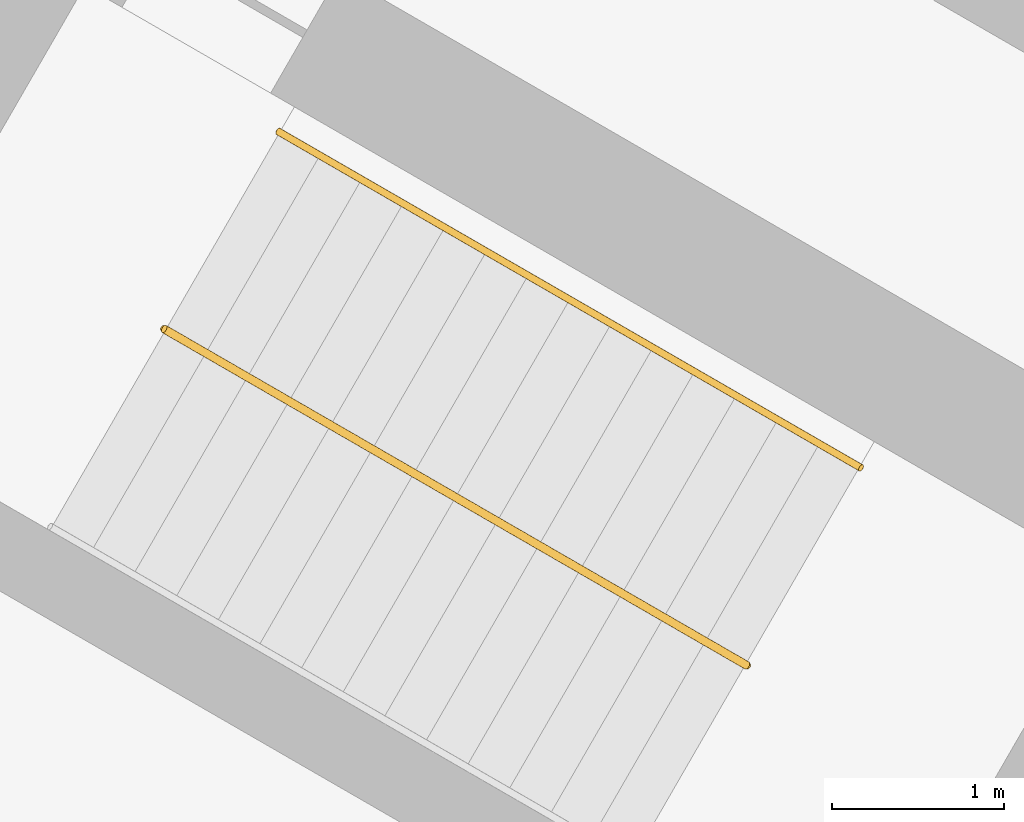
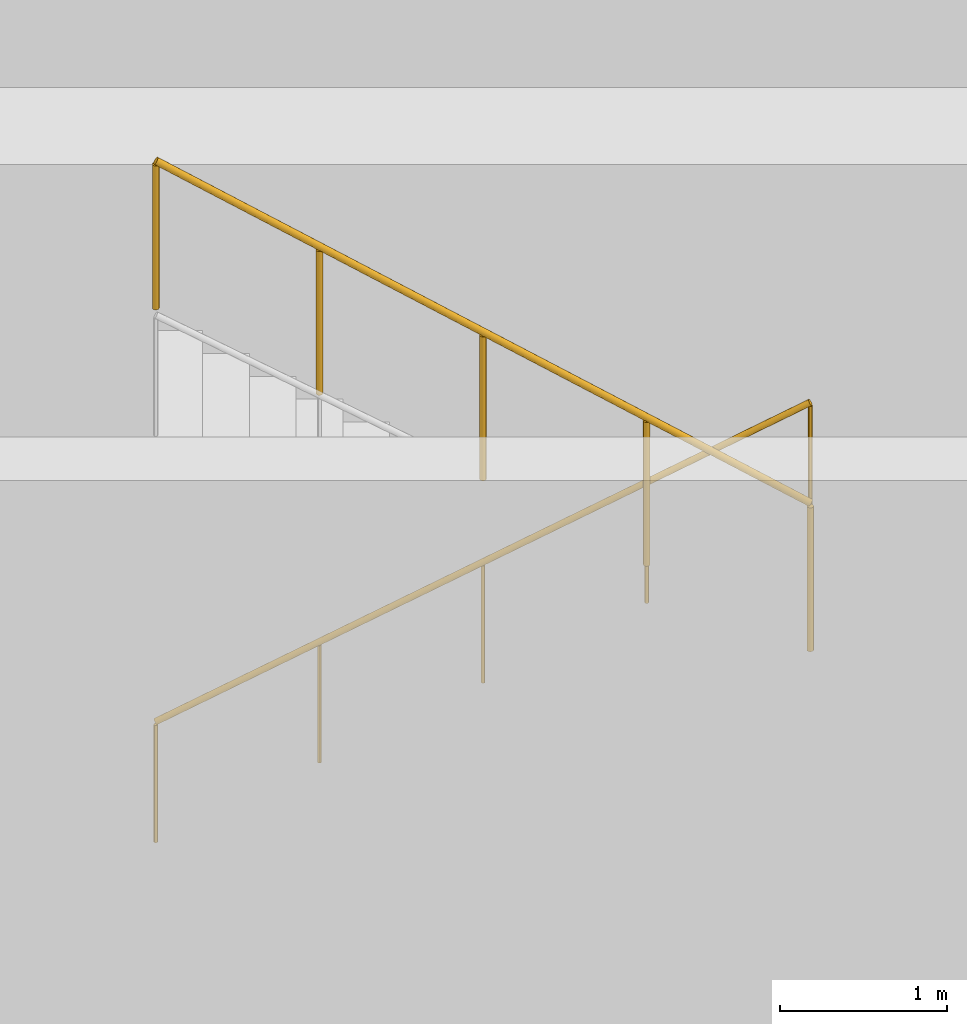
# One storey, part 36 of 36: 2 railings.
"""IFC4 building model written with IfcOpenShell, lengths in metres."""

from ifc_helpers import new_model, si_unit, direction, frame, origin, origin_2d, place, context, subcontext, project, spatial, circle, extrude, material, type_object, element, save


model = new_model("IFC4")

# Units and contexts
model_context = context("Model", 3, precision=1e-05, world=origin(), true_north=direction((0.0, 1.0)))
body_context = subcontext(model_context, "Body", "Model", "MODEL_VIEW")
ifc_project = project(units=[si_unit("LENGTHUNIT", "METRE"), si_unit("AREAUNIT", "SQUARE_METRE"), si_unit("VOLUMEUNIT", "CUBIC_METRE"), si_unit("PLANEANGLEUNIT", "RADIAN"), si_unit("MASSUNIT", "GRAM", prefix="KILO")], contexts=[model_context])

# Site, building, storey
site_placement = place(None, origin())
site = spatial("IfcSite", under=ifc_project, at=site_placement, CompositionType="ELEMENT")
building_placement = place(site_placement, origin())
building = spatial("IfcBuilding", under=site, at=building_placement, Name="Impinga Residences", CompositionType="ELEMENT")
storey_placement = place(building_placement, frame((0.0, 0.0, 6.0)))
storey = spatial("IfcBuildingStorey", under=building, at=storey_placement, Name="L01", CompositionType="ELEMENT", Elevation=6.0)

# Railings
ifc_material_1 = material(Name="Steel guard, powder coated", Category="steel")
railing_type_1 = type_object("IfcRailingType", Name="GR1 stair guard 1100", PredefinedType="GUARDRAIL", material=ifc_material_1)
railing_1_placement = place(storey_placement, frame((21.01123046875, -15.71044921875, 2.5)))
element("IfcRailing", 1, at=railing_1_placement, inside=storey, type_object=railing_type_1, Name="Stair guard GR1 WS3 L01", PredefinedType="GUARDRAIL", context=body_context, shape_type="SweptSolid", body=[
    extrude(circle(Radius=0.02392578125, at=origin_2d()), frame((0.0, 0.0, 1.076171875), z_axis=(-0.730169879136, 0.421560862259, 0.537715898048), x_axis=(-0.499997407846, -0.86602690036, 0.0)), (0.0, 0.0, 1.0), 4.6494140625),
    extrude(circle(Radius=0.02099609375, at=origin_2d()), origin(), (0.0, 0.0, 1.0), 1.052001953125),
    extrude(circle(Radius=0.02099609375, at=origin_2d()), frame((-0.8486328125, 0.489990234375, 0.625)), (0.0, 0.0, 1.0), 1.052001953125),
    extrude(circle(Radius=0.02099609375, at=origin_2d()), frame((-1.697265625, 0.97998046875, 1.25)), (0.0, 0.0, 1.0), 1.052001953125),
    extrude(circle(Radius=0.02099609375, at=origin_2d()), frame((-2.546142578125, 1.469970703125, 1.875)), (0.0, 0.0, 1.0), 1.052001953125),
    extrude(circle(Radius=0.02099609375, at=origin_2d()), frame((-3.394775390625, 1.9599609375, 2.5)), (0.0, 0.0, 1.0), 1.052001953125),
])
ifc_material_2 = material(Name="Steel handrail tube 42 mm, powder coated", Category="steel")
railing_type_2 = type_object("IfcRailingType", Name="HR1 stair handrail, 42 mm steel tube, 900 above the pitch line", PredefinedType="HANDRAIL", material=ifc_material_2)
railing_2_placement = place(storey_placement, frame((18.281005859375, -12.599609375, 0.166748046875)))
element("IfcRailing", 2, at=railing_2_placement, inside=storey, type_object=railing_type_2, Name="Stair handrail HR1 WS3 L01", PredefinedType="HANDRAIL", context=body_context, shape_type="SweptSolid", body=[
    extrude(circle(Radius=0.02099609375, at=origin_2d()), frame((0.0, 0.0, 0.87890625), z_axis=(0.744174672596, -0.429646477641, 0.511476256455), x_axis=(0.499997407846, 0.86602690036, 0.0)), (0.0, 0.0, 1.0), 4.561767578125),
    extrude(circle(Radius=0.012451171875, at=origin_2d()), origin(), (0.0, 0.0, 1.0), 0.85791015625),
    extrude(circle(Radius=0.012451171875, at=origin_2d()), frame((0.8486328125, -0.489990234375, 0.583251953125)), (0.0, 0.0, 1.0), 0.85791015625),
    extrude(circle(Radius=0.012451171875, at=origin_2d()), frame((1.697265625, -0.97998046875, 1.16650390625)), (0.0, 0.0, 1.0), 0.85791015625),
    extrude(circle(Radius=0.012451171875, at=origin_2d()), frame((2.546142578125, -1.469970703125, 1.75)), (0.0, 0.0, 1.0), 0.85791015625),
    extrude(circle(Radius=0.012451171875, at=origin_2d()), frame((3.394775390625, -1.9599609375, 2.333251953125)), (0.0, 0.0, 1.0), 0.85791015625),
])

save(model, "model.ifc")
